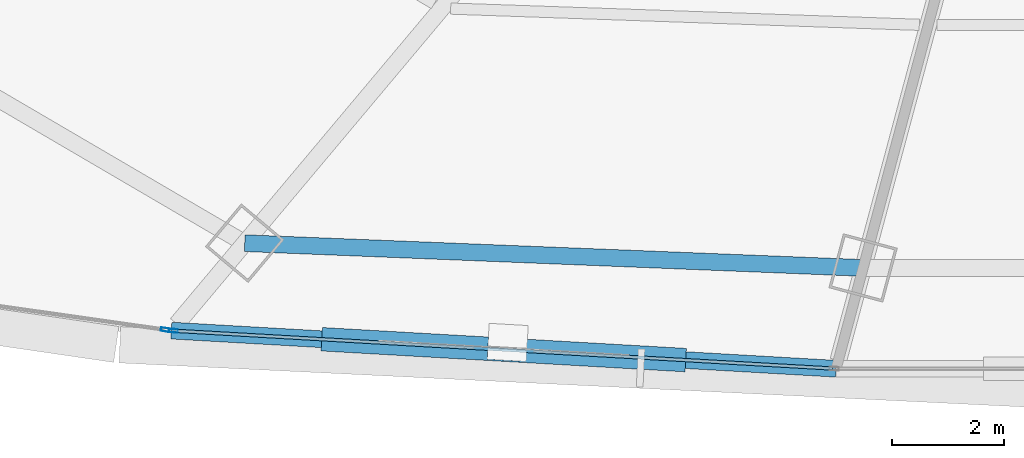
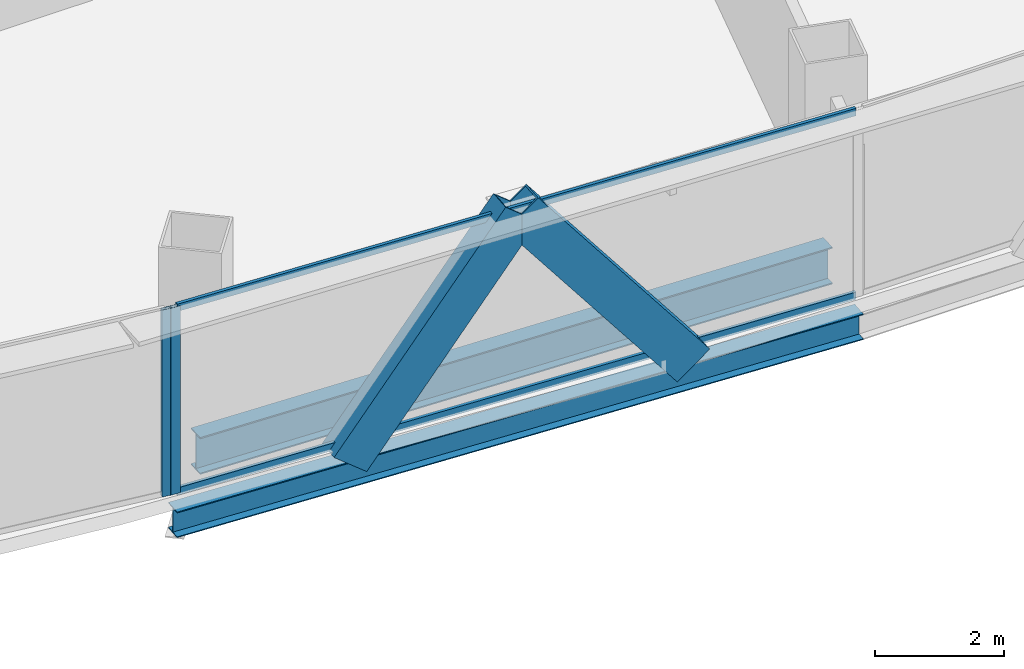
# One storey, part 6 of 39: 6 members, 2 beams, 2 elements without a shape of their own.
"""IFC4 building model written with IfcOpenShell, lengths in metres."""

from ifc_helpers import new_model, si_unit, direction, frame, origin, origin_2d, place, context, subcontext, project, spatial, hollow_rectangle, i_section, extrude, source, transform, mapped, material, layer, layer_set, material_profile, profile_set, type_object, element, aggregate, save


model = new_model("IFC4")

# Units and contexts
model_context = context("Model", 3, precision=1e-05, world=origin(), true_north=direction((0.0, 1.0)))
body_context = subcontext(model_context, "Body", "Model", "MODEL_VIEW")
ifc_project = project(units=[si_unit("LENGTHUNIT", "METRE"), si_unit("AREAUNIT", "SQUARE_METRE"), si_unit("VOLUMEUNIT", "CUBIC_METRE"), si_unit("PLANEANGLEUNIT", "RADIAN"), si_unit("MASSUNIT", "GRAM", prefix="KILO"), si_unit("THERMODYNAMICTEMPERATUREUNIT", "KELVIN"), si_unit("POWERUNIT", "WATT")], contexts=[model_context])

# Site, building, storey
site_placement = place(None, origin())
site = spatial("IfcSite", under=ifc_project, at=site_placement, CompositionType="ELEMENT")
building_placement = place(site_placement, origin())
building = spatial("IfcBuilding", under=site, at=building_placement, Name="Yunzhuo Pagoda Commons", CompositionType="ELEMENT")
storey_placement = place(building_placement, frame((0.0, 0.0, 100.179931640625)))
storey = spatial("IfcBuildingStorey", under=building, at=storey_placement, Name="L25", CompositionType="ELEMENT", Elevation=100.179931640625)

# Beams
ifc_material_1 = material(Name="Structural steel Q355B", Category="steel")
ifc_material_profile_1 = material_profile(ifc_material_1, i_section(OverallWidth=0.300048828125, OverallDepth=0.699951171875, WebThickness=0.012939453125, FlangeThickness=0.02392578125, at=origin_2d()), Name="Structural steel Q355B")
ifc_profile_set_1 = profile_set([ifc_material_profile_1], Name="Structural steel Q355B")
beam_type_1 = type_object("IfcBeamType", Name="B-RG1 Beam HN 700x300x13x24", PredefinedType="BEAM", material=ifc_profile_set_1)
shared_shape_1 = source(origin(), body_context, "Body", "SweptSolid", [
    extrude(i_section(OverallWidth=0.300048828125, OverallDepth=0.699951171875, WebThickness=0.012939453125, FlangeThickness=0.02392578125, at=origin_2d()), origin(), (0.0, 0.0, 1.0), 11.077392578125),
])
beam_1_placement = place(storey_placement, frame((31.56396484375, 14.1123046875, -0.60986328125), z_axis=(0.999196975427, -0.040067496776, 0.0), x_axis=(0.040067496776, 0.999196975427, 0.0)))
element("IfcBeam", 1, at=beam_1_placement, inside=storey, type_object=beam_type_1, Name="L25 column-ring beam 1", PredefinedType="BEAM", context=body_context, shape_type="MappedRepresentation", body=[
    mapped(shared_shape_1, transform((0.0, 0.0, 0.0), scale=1.0)),
])
ifc_material_profile_2 = material_profile(ifc_material_1, i_section(OverallWidth=0.300048828125, OverallDepth=0.488037109375, WebThickness=0.010986328125, FlangeThickness=0.01806640625, at=origin_2d()), Name="Structural steel Q355B")
ifc_profile_set_2 = profile_set([ifc_material_profile_2], Name="Structural steel Q355B")
beam_type_2 = type_object("IfcBeamType", Name="B-SP1 Beam HM 488x300x11x18", PredefinedType="BEAM", material=ifc_profile_set_2)
shared_shape_2 = source(origin(), body_context, "Body", "SweptSolid", [
    extrude(i_section(OverallWidth=0.300048828125, OverallDepth=0.488037109375, WebThickness=0.010986328125, FlangeThickness=0.01806640625, at=origin_2d()), origin(), (0.0, 0.0, 1.0), 11.918212890625),
])
beam_2_placement = place(storey_placement, frame((30.25048828125, 12.547119140625, -0.50390625), z_axis=(0.998357270024, -0.057295387165, 0.0), x_axis=(0.057295387165, 0.998357270024, 0.0)))
element("IfcBeam", 2, at=beam_2_placement, inside=storey, type_object=beam_type_2, Name="L25 facade edge spandrel beam F1.1", PredefinedType="BEAM", context=body_context, shape_type="MappedRepresentation", body=[
    mapped(shared_shape_2, transform((0.0, 0.0, 0.0), scale=1.0)),
])

# Members
ifc_material_2 = material(Name="Structural steel Q420B", Category="steel")
ifc_material_profile_3 = material_profile(ifc_material_2, hollow_rectangle(XDim=0.419921875, YDim=0.719970703125, WallThickness=0.028076171875, at=origin_2d()), Name="Structural steel Q420B")
ifc_profile_set_3 = profile_set([ifc_material_profile_3], Name="Structural steel Q420B")
member_type_1 = type_object("IfcMemberType", Name="M-DL1 Brace BOX 720x420x28", PredefinedType="BRACE", material=ifc_profile_set_3)
shared_shape_3 = source(origin(), body_context, "Body", "SweptSolid", [
    extrude(hollow_rectangle(XDim=0.419921875, YDim=0.719970703125, WallThickness=0.028076171875, at=origin_2d()), origin(), (0.0, 0.0, 1.0), 4.828857421875),
])
member_1_placement = place(storey_placement, frame((33.22509765625, 12.37646484375, -0.260009765625), z_axis=(0.616008888359, -0.035290069277, 0.786948321348), x_axis=(0.057194469261, 0.998363056551, 0.0)))
element("IfcMember", 3, at=member_1_placement, inside=storey, type_object=member_type_1, Name="L25 facade diamond brace F1.1L", PredefinedType="BRACE", context=body_context, shape_type="MappedRepresentation", body=[
    mapped(shared_shape_3, transform((0.0, 0.0, 0.0), scale=1.0)),
])
shared_shape_4 = source(origin(), body_context, "Body", "SweptSolid", [
    extrude(hollow_rectangle(XDim=0.419921875, YDim=0.719970703125, WallThickness=0.028076171875, at=origin_2d()), origin(), (0.0, 0.0, 1.0), 4.8291015625),
])
member_2_placement = place(storey_placement, frame((39.1748046875, 12.034912109375, -0.260009765625), z_axis=(-0.616068325078, 0.035439348094, 0.786895082868), x_axis=(-0.057430085423, -0.99834953062, 0.0)))
element("IfcMember", 4, at=member_2_placement, inside=storey, type_object=member_type_1, Name="L25 facade diamond brace F1.1R", PredefinedType="BRACE", context=body_context, shape_type="MappedRepresentation", body=[
    mapped(shared_shape_4, transform((0.0, 0.0, 0.0), scale=1.0)),
])

# Curtain wall, member
ifc_material_3 = material(Name="Anodized aluminium 6063-T6", Category="aluminium")
ifc_layer = layer(ifc_material_3, 0.1650390625)
ifc_layer_set = layer_set([ifc_layer], Name="Anodized aluminium 6063-T6")
curtain_wall_type = type_object("IfcCurtainWallType", Name="CW-LOW Low-Zone Ribbon Curtain Wall", PredefinedType="NOTDEFINED", material=ifc_layer_set)
curtain_wall_1_placement = place(storey_placement, origin())
curtain_wall_1 = element("IfcCurtainWall", 5, at=curtain_wall_1_placement, inside=storey, type_object=curtain_wall_type, Name="L25 curtain wall CW-L25-F1B2", PredefinedType="NOTDEFINED")
ifc_material_profile_4 = material_profile(ifc_material_3, hollow_rectangle(XDim=0.06494140625, YDim=0.1650390625, WallThickness=0.00390625, at=origin_2d()), Name="Anodized aluminium 6063-T6")
ifc_profile_set_4 = profile_set([ifc_material_profile_4], Name="Anodized aluminium 6063-T6")
member_type_2 = type_object("IfcMemberType", Name="CW-LOW-M Mullion RHS 165x65x4", PredefinedType="MULLION", material=ifc_profile_set_4)
shared_shape_5 = source(origin(), body_context, "Body", "SweptSolid", [
    extrude(hollow_rectangle(XDim=0.06494140625, YDim=0.1650390625, WallThickness=0.00390625, at=origin_2d()), origin(), (0.0, 0.0, 1.0), 3.5400390625),
])
member_3_placement = place(storey_placement, frame((30.282958984375, 12.545166015625, 0.0), z_axis=(0.0, 0.0, 1.0), x_axis=(0.057299493103, 0.998357034377, 0.0)))
member_3 = element("IfcMember", 6, at=member_3_placement, type_object=member_type_2, Name="CW mullion 1", PredefinedType="MULLION", context=body_context, shape_type="MappedRepresentation", body=[
    mapped(shared_shape_5, transform((0.0, 0.0, 0.0), scale=1.0)),
])

curtain_wall_2_placement = place(storey_placement, origin())
curtain_wall_2 = element("IfcCurtainWall", 7, at=curtain_wall_2_placement, inside=storey, type_object=curtain_wall_type, Name="L25 curtain wall CW-L25-F1B1", PredefinedType="NOTDEFINED")
member_4_placement = place(storey_placement, frame((30.14404296875, 12.562255859375, 0.0), z_axis=(0.0, 0.0, 1.0), x_axis=(0.140773671614, 0.990041803855, 0.0)))
member_4 = element("IfcMember", 8, at=member_4_placement, type_object=member_type_2, Name="CW mullion 2", PredefinedType="MULLION", context=body_context, shape_type="MappedRepresentation", body=[
    mapped(shared_shape_5, transform((0.0, 0.0, 0.0), scale=1.0)),
])
aggregate(curtain_wall_2, [member_4])

# Member
ifc_material_profile_5 = material_profile(ifc_material_3, hollow_rectangle(XDim=0.06005859375, YDim=0.139892578125, WallThickness=0.00341796875, at=origin_2d()), Name="Anodized aluminium 6063-T6")
ifc_profile_set_5 = profile_set([ifc_material_profile_5], Name="Anodized aluminium 6063-T6")
member_type_3 = type_object("IfcMemberType", Name="CW-LOW-T Transom RHS 140x60x3.5", PredefinedType="USERDEFINED", material=ifc_profile_set_5)
shared_shape_6 = source(origin(), body_context, "Body", "SweptSolid", [
    extrude(hollow_rectangle(XDim=0.06005859375, YDim=0.139892578125, WallThickness=0.00341796875, at=origin_2d()), origin(), (0.0, 0.0, 1.0), 11.788330078125),
])
member_5_placement = place(storey_placement, frame((30.3154296875, 12.54345703125, 0.030029296875), z_axis=(0.998356708557, -0.057305169742, 0.0), x_axis=(0.057305169742, 0.998356708557, 0.0)))
member_5 = element("IfcMember", 9, at=member_5_placement, type_object=member_type_3, Name="CW transom 1.1", ObjectType="TRANSOM", PredefinedType="USERDEFINED", context=body_context, shape_type="MappedRepresentation", body=[
    mapped(shared_shape_6, transform((0.0, 0.0, 0.0), scale=1.0)),
])

member_6_placement = place(storey_placement, frame((30.3154296875, 12.54345703125, 3.510009765625), z_axis=(0.998356708557, -0.057305169742, 0.0), x_axis=(0.057305169742, 0.998356708557, 0.0)))
member_6 = element("IfcMember", 10, at=member_6_placement, type_object=member_type_3, Name="CW transom 1.2", ObjectType="TRANSOM", PredefinedType="USERDEFINED", context=body_context, shape_type="MappedRepresentation", body=[
    mapped(shared_shape_6, transform((0.0, 0.0, 0.0), scale=1.0)),
])

aggregate(curtain_wall_1, [member_3, member_5, member_6])

save(model, "model.ifc")
